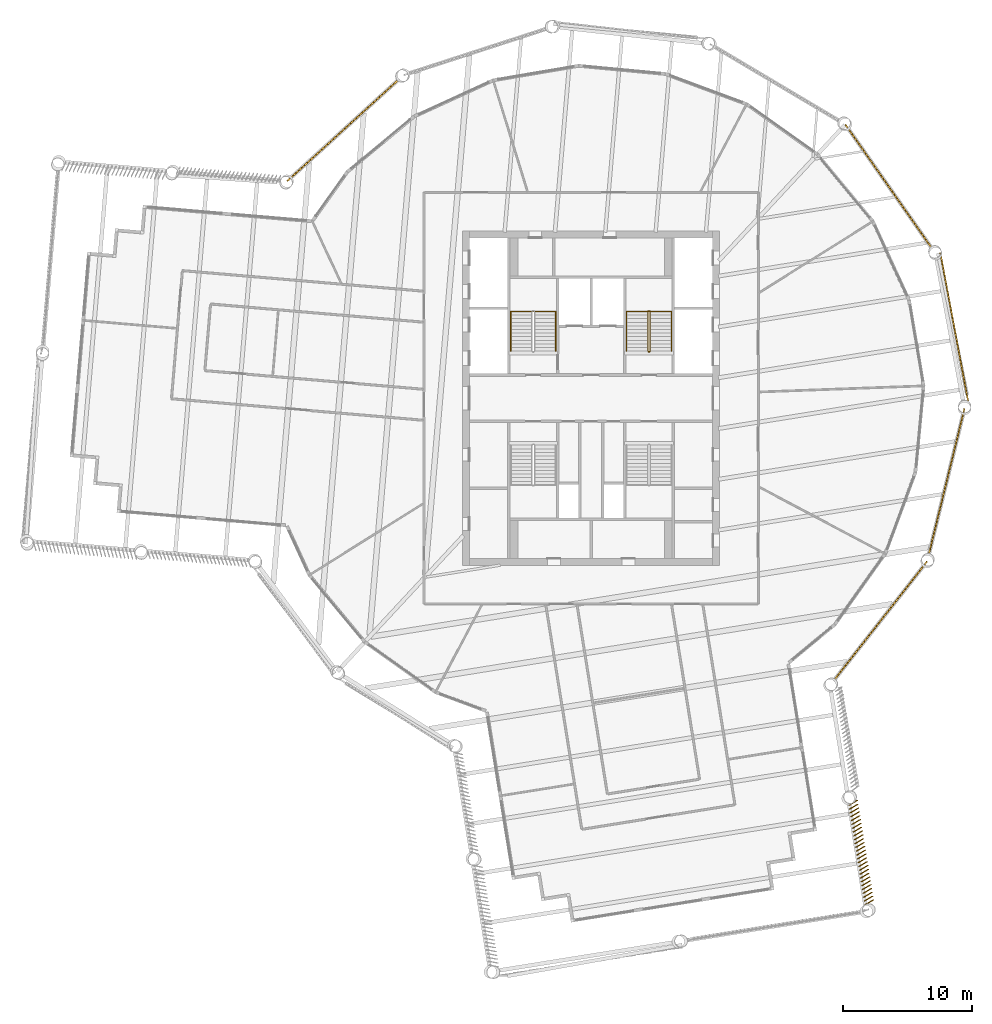
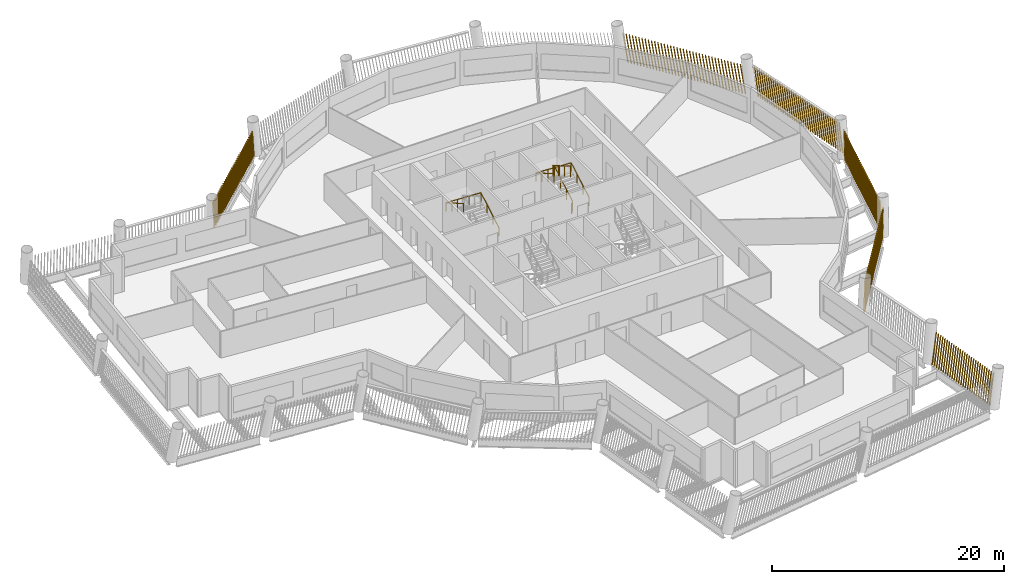
# One storey, part 12 of 14: 6 shading devices, 3 railings.
"""IFC4 building model written with IfcOpenShell, lengths in metres."""

from ifc_helpers import new_model, si_unit, direction, frame, frame_2d, origin, origin_2d, place, context, subcontext, project, spatial, rectangle, circle, composite_profile, extrude, material, type_object, element, save


model = new_model("IFC4")

# Units and contexts
model_context = context("Model", 3, precision=1e-05, world=origin(), true_north=direction((0.0, 1.0)))
body_context = subcontext(model_context, "Body", "Model", "MODEL_VIEW")
ifc_project = project(units=[si_unit("LENGTHUNIT", "METRE"), si_unit("AREAUNIT", "SQUARE_METRE"), si_unit("VOLUMEUNIT", "CUBIC_METRE"), si_unit("PLANEANGLEUNIT", "RADIAN"), si_unit("MASSUNIT", "GRAM", prefix="KILO")], contexts=[model_context])

# Site, building, storey
site_placement = place(None, origin())
site = spatial("IfcSite", under=ifc_project, at=site_placement, CompositionType="ELEMENT")
building_placement = place(site_placement, origin())
building = spatial("IfcBuilding", under=site, at=building_placement, Name="Tarsis Ring Headquarters", CompositionType="ELEMENT")
storey_placement = place(building_placement, frame((0.0, 0.0, 266.89990234375)))
storey = spatial("IfcBuildingStorey", under=building, at=storey_placement, Name="L62", CompositionType="ELEMENT", Elevation=266.89990234375)

# Railings
ifc_material_1 = material(Name="Steel S355", Category="steel")
railing_type_1 = type_object("IfcRailingType", Name="Core stair guard 1100", PredefinedType="GUARDRAIL", material=ifc_material_1)
railing_1_placement = place(storey_placement, frame((4.4599609375, 3.610107421875, 0.0)))
element("IfcRailing", 1, at=railing_1_placement, inside=storey, type_object=railing_type_1, Name="L62 ST2 stair guard 1", PredefinedType="GUARDRAIL", context=body_context, shape_type="SweptSolid", body=[
    extrude(circle(Radius=0.02392578125, at=origin_2d()), frame((0.0, 0.0, 1.076171875), z_axis=(1.0, 0.0, 0.0), x_axis=(0.0, 1.0, 0.0)), (0.0, 0.0, 1.0), 0.080078125),
    extrude(circle(Radius=0.02392578125, at=origin_2d()), frame((0.080078125, 0.0, 1.076171875), z_axis=(0.282336740067, 0.280959487676, 0.917250092119), x_axis=(-0.705375805398, 0.708833529934, 0.0)), (0.0, 0.0, 1.0), 0.17724609375),
    extrude(circle(Radius=0.02392578125, at=origin_2d()), frame((0.130126953125, 0.0498046875, 1.23876953125), z_axis=(0.0, 0.864890721111, 0.501960198159), x_axis=(-1.0, 0.0, 0.0)), (0.0, 0.0, 1.0), 3.561279296875),
    extrude(circle(Radius=0.02392578125, at=origin_2d()), frame((0.130126953125, 3.1298828125, 3.0263671875), z_axis=(-0.707106781187, 0.707106781187, 0.0), x_axis=(-0.707106781187, -0.707106781187, 0.0)), (0.0, 0.0, 1.0), 0.07080078125),
    extrude(circle(Radius=0.02392578125, at=origin_2d()), frame((0.080078125, 3.179931640625, 3.0263671875), z_axis=(-1.0, 0.0, 0.0), x_axis=(0.0, -1.0, 0.0)), (0.0, 0.0, 1.0), 0.080078125),
    extrude(circle(Radius=0.02392578125, at=origin_2d()), frame((0.0, 3.179931640625, 3.0263671875), z_axis=(-0.282583949758, -0.282583949758, 0.916674763849), x_axis=(0.707106781187, -0.707106781187, 0.0)), (0.0, 0.0, 1.0), 0.177001953125),
    extrude(circle(Radius=0.02392578125, at=origin_2d()), frame((-0.050048828125, 3.1298828125, 3.1884765625), z_axis=(0.0, -0.864890721111, 0.501960198159), x_axis=(1.0, 0.0, 0.0)), (0.0, 0.0, 1.0), 3.561279296875),
    extrude(circle(Radius=0.02099609375, at=origin_2d()), origin(), (0.0, 0.0, 1.0), 1.052001953125),
    extrude(circle(Radius=0.02099609375, at=origin_2d()), frame((0.080078125, 0.0, 0.0)), (0.0, 0.0, 1.0), 1.052001953125),
    extrude(circle(Radius=0.02099609375, at=origin_2d()), frame((0.130126953125, 0.0498046875, 0.16259765625)), (0.0, 0.0, 1.0), 1.052001953125),
    extrude(circle(Radius=0.02099609375, at=origin_2d()), frame((0.130126953125, 1.076416015625, 0.758544921875)), (0.0, 0.0, 1.0), 1.052001953125),
    extrude(circle(Radius=0.02099609375, at=origin_2d()), frame((0.130126953125, 2.103271484375, 1.354248046875)), (0.0, 0.0, 1.0), 1.052001953125),
    extrude(circle(Radius=0.02099609375, at=origin_2d()), frame((0.130126953125, 3.1298828125, 1.9501953125)), (0.0, 0.0, 1.0), 1.052001953125),
    extrude(circle(Radius=0.02099609375, at=origin_2d()), frame((0.080078125, 3.179931640625, 1.9501953125)), (0.0, 0.0, 1.0), 1.052001953125),
    extrude(circle(Radius=0.02099609375, at=origin_2d()), frame((0.0, 3.179931640625, 1.9501953125)), (0.0, 0.0, 1.0), 1.052001953125),
    extrude(circle(Radius=0.02099609375, at=origin_2d()), frame((-0.050048828125, 3.1298828125, 2.112548828125)), (0.0, 0.0, 1.0), 1.052001953125),
    extrude(circle(Radius=0.02099609375, at=origin_2d()), frame((-0.050048828125, 2.103271484375, 2.70849609375)), (0.0, 0.0, 1.0), 1.052001953125),
    extrude(circle(Radius=0.02099609375, at=origin_2d()), frame((-0.050048828125, 1.076416015625, 3.30419921875)), (0.0, 0.0, 1.0), 1.052001953125),
    extrude(circle(Radius=0.02099609375, at=origin_2d()), frame((-0.050048828125, 0.0498046875, 3.900146484375)), (0.0, 0.0, 1.0), 1.052001953125),
])
railing_type_2 = type_object("IfcRailingType", Name="Core stair handrail 900", PredefinedType="HANDRAIL", material=ifc_material_1)
railing_2_placement = place(storey_placement, frame((-2.75, 3.659912109375, 0.16259765625)))
element("IfcRailing", 2, at=railing_2_placement, inside=storey, type_object=railing_type_2, Name="L62 ST1 stair handrail 1", PredefinedType="HANDRAIL", context=body_context, shape_type="SweptSolid", body=[
    extrude(circle(Radius=0.02392578125, at=origin_2d()), frame((0.0, 0.0, 0.8759765625), z_axis=(0.0, 0.864890721111, 0.501960198159), x_axis=(-1.0, 0.0, 0.0)), (0.0, 0.0, 1.0), 3.561279296875),
    extrude(circle(Radius=0.02392578125, at=origin_2d()), frame((0.0, 3.080078125, 2.66357421875), z_axis=(-0.998925869279, 0.0, 0.04633689335), x_axis=(0.0, -1.0, 0.0)), (0.0, 0.0, 1.0), 3.503662109375),
    extrude(circle(Radius=0.02392578125, at=origin_2d()), frame((-3.5, 3.080078125, 2.82568359375), z_axis=(0.0, -0.864890721111, 0.501960198159), x_axis=(1.0, 0.0, 0.0)), (0.0, 0.0, 1.0), 3.561279296875),
    extrude(circle(Radius=0.02099609375, at=origin_2d()), origin(), (0.0, 0.0, 1.0), 0.851806640625),
    extrude(circle(Radius=0.02099609375, at=origin_2d()), frame((0.0, 1.026611328125, 0.595947265625)), (0.0, 0.0, 1.0), 0.851806640625),
    extrude(circle(Radius=0.02099609375, at=origin_2d()), frame((0.0, 2.053466796875, 1.191650390625)), (0.0, 0.0, 1.0), 0.851806640625),
    extrude(circle(Radius=0.02099609375, at=origin_2d()), frame((0.0, 3.080078125, 1.78759765625)), (0.0, 0.0, 1.0), 0.851806640625),
    extrude(circle(Radius=0.02099609375, at=origin_2d()), frame((-1.166748046875, 3.080078125, 1.841796875)), (0.0, 0.0, 1.0), 0.851806640625),
    extrude(circle(Radius=0.02099609375, at=origin_2d()), frame((-2.333251953125, 3.080078125, 1.895751953125)), (0.0, 0.0, 1.0), 0.851806640625),
    extrude(circle(Radius=0.02099609375, at=origin_2d()), frame((-3.5, 3.080078125, 1.949951171875)), (0.0, 0.0, 1.0), 0.851806640625),
    extrude(circle(Radius=0.02099609375, at=origin_2d()), frame((-3.5, 2.053466796875, 2.5458984375)), (0.0, 0.0, 1.0), 0.851806640625),
    extrude(circle(Radius=0.02099609375, at=origin_2d()), frame((-3.5, 1.026611328125, 3.1416015625)), (0.0, 0.0, 1.0), 0.851806640625),
    extrude(circle(Radius=0.02099609375, at=origin_2d()), frame((-3.5, 0.0, 3.737548828125)), (0.0, 0.0, 1.0), 0.851806640625),
])
railing_3_placement = place(storey_placement, frame((6.25, 3.659912109375, 0.16259765625)))
element("IfcRailing", 3, at=railing_3_placement, inside=storey, type_object=railing_type_2, Name="L62 ST2 stair handrail 1", PredefinedType="HANDRAIL", context=body_context, shape_type="SweptSolid", body=[
    extrude(circle(Radius=0.02392578125, at=origin_2d()), frame((0.0, 0.0, 0.8759765625), z_axis=(0.0, 0.864890721111, 0.501960198159), x_axis=(-1.0, 0.0, 0.0)), (0.0, 0.0, 1.0), 3.561279296875),
    extrude(circle(Radius=0.02392578125, at=origin_2d()), frame((0.0, 3.080078125, 2.66357421875), z_axis=(-0.998925869279, 0.0, 0.04633689335), x_axis=(0.0, -1.0, 0.0)), (0.0, 0.0, 1.0), 3.503662109375),
    extrude(circle(Radius=0.02392578125, at=origin_2d()), frame((-3.5, 3.080078125, 2.82568359375), z_axis=(0.0, -0.864890721111, 0.501960198159), x_axis=(1.0, 0.0, 0.0)), (0.0, 0.0, 1.0), 3.561279296875),
    extrude(circle(Radius=0.02099609375, at=origin_2d()), origin(), (0.0, 0.0, 1.0), 0.851806640625),
    extrude(circle(Radius=0.02099609375, at=origin_2d()), frame((0.0, 1.026611328125, 0.595947265625)), (0.0, 0.0, 1.0), 0.851806640625),
    extrude(circle(Radius=0.02099609375, at=origin_2d()), frame((0.0, 2.053466796875, 1.191650390625)), (0.0, 0.0, 1.0), 0.851806640625),
    extrude(circle(Radius=0.02099609375, at=origin_2d()), frame((0.0, 3.080078125, 1.78759765625)), (0.0, 0.0, 1.0), 0.851806640625),
    extrude(circle(Radius=0.02099609375, at=origin_2d()), frame((-1.166748046875, 3.080078125, 1.841796875)), (0.0, 0.0, 1.0), 0.851806640625),
    extrude(circle(Radius=0.02099609375, at=origin_2d()), frame((-2.333251953125, 3.080078125, 1.895751953125)), (0.0, 0.0, 1.0), 0.851806640625),
    extrude(circle(Radius=0.02099609375, at=origin_2d()), frame((-3.5, 3.080078125, 1.949951171875)), (0.0, 0.0, 1.0), 0.851806640625),
    extrude(circle(Radius=0.02099609375, at=origin_2d()), frame((-3.5, 2.053466796875, 2.5458984375)), (0.0, 0.0, 1.0), 0.851806640625),
    extrude(circle(Radius=0.02099609375, at=origin_2d()), frame((-3.5, 1.026611328125, 3.1416015625)), (0.0, 0.0, 1.0), 0.851806640625),
    extrude(circle(Radius=0.02099609375, at=origin_2d()), frame((-3.5, 0.0, 3.737548828125)), (0.0, 0.0, 1.0), 0.851806640625),
])

# Shading devices
ifc_material_2 = material(Name="Terracotta baguette", Category="masonry")
shading_device_type = type_object("IfcShadingDeviceType", Name="Terracotta baguette screen", PredefinedType="USERDEFINED", material=ifc_material_2)
shading_device_1_placement = place(storey_placement, frame((21.317626953125, -39.41943359375, 0.0), z_axis=(0.0, 0.0, 1.0), x_axis=(-0.15852565885, 0.987363672877, 0.0)))
element("IfcShadingDevice", 4, at=shading_device_1_placement, inside=storey, type_object=shading_device_type, Name="Baguette screen L62-05", ObjectType="Terracotta baguette screen", PredefinedType="USERDEFINED", context=body_context, shape_type="SweptSolid", body=[
    extrude(composite_profile([rectangle(XDim=0.06005859375, YDim=0.1201171875, at=frame_2d((0.030029296875, 0.0))), rectangle(XDim=0.06005859375, YDim=0.1201171875, at=frame_2d((0.33154296875, 0.0))), rectangle(XDim=0.06005859375, YDim=0.1201171875, at=frame_2d((0.63330078125, 0.0))), rectangle(XDim=0.06005859375, YDim=0.1201171875, at=frame_2d((0.934814453125, 0.0))), rectangle(XDim=0.06005859375, YDim=0.1201171875, at=frame_2d((1.236572265625, 0.0))), rectangle(XDim=0.06005859375, YDim=0.1201171875, at=frame_2d((1.5380859375, 0.0))), rectangle(XDim=0.06005859375, YDim=0.1201171875, at=frame_2d((1.83984375, 0.0))), rectangle(XDim=0.06005859375, YDim=0.1201171875, at=frame_2d((2.141357421875, 0.0))), rectangle(XDim=0.06005859375, YDim=0.1201171875, at=frame_2d((2.443115234375, 0.0))), rectangle(XDim=0.06005859375, YDim=0.1201171875, at=frame_2d((2.74462890625, 0.0))), rectangle(XDim=0.06005859375, YDim=0.1201171875, at=frame_2d((3.04638671875, 0.0))), rectangle(XDim=0.06005859375, YDim=0.1201171875, at=frame_2d((3.347900390625, 0.0))), rectangle(XDim=0.06005859375, YDim=0.1201171875, at=frame_2d((3.649658203125, 0.0))), rectangle(XDim=0.06005859375, YDim=0.1201171875, at=frame_2d((3.951171875, 0.0))), rectangle(XDim=0.06005859375, YDim=0.1201171875, at=frame_2d((4.252685546875, 0.0))), rectangle(XDim=0.06005859375, YDim=0.1201171875, at=frame_2d((4.554443359375, 0.0))), rectangle(XDim=0.06005859375, YDim=0.1201171875, at=frame_2d((4.85595703125, 0.0))), rectangle(XDim=0.06005859375, YDim=0.1201171875, at=frame_2d((5.15771484375, 0.0))), rectangle(XDim=0.06005859375, YDim=0.1201171875, at=frame_2d((5.459228515625, 0.0))), rectangle(XDim=0.06005859375, YDim=0.1201171875, at=frame_2d((5.760986328125, 0.0))), rectangle(XDim=0.06005859375, YDim=0.1201171875, at=frame_2d((6.0625, 0.0))), rectangle(XDim=0.06005859375, YDim=0.1201171875, at=frame_2d((6.3642578125, 0.0))), rectangle(XDim=0.06005859375, YDim=0.1201171875, at=frame_2d((6.665771484375, 0.0))), rectangle(XDim=0.06005859375, YDim=0.1201171875, at=frame_2d((6.967529296875, 0.0))), rectangle(XDim=0.06005859375, YDim=0.1201171875, at=frame_2d((7.26904296875, 0.0))), rectangle(XDim=0.06005859375, YDim=0.1201171875, at=frame_2d((7.57080078125, 0.0))), rectangle(XDim=0.06005859375, YDim=0.1201171875, at=frame_2d((7.872314453125, 0.0)))]), origin(), (0.086499014905, -0.218450722997, 0.972006791151), 3.053466796875),
])
shading_device_2_placement = place(storey_placement, frame((18.883056640625, -21.940185546875, 0.0), z_axis=(0.0, 0.0, 1.0), x_axis=(0.616741904679, 0.787156003125, 0.0)))
element("IfcShadingDevice", 5, at=shading_device_2_placement, inside=storey, type_object=shading_device_type, Name="Baguette screen L62-07", ObjectType="Terracotta baguette screen", PredefinedType="USERDEFINED", context=body_context, shape_type="SweptSolid", body=[
    extrude(composite_profile([rectangle(XDim=0.06005859375, YDim=0.1201171875, at=frame_2d((0.030029296875, 0.0))), rectangle(XDim=0.06005859375, YDim=0.1201171875, at=frame_2d((0.33251953125, 0.0))), rectangle(XDim=0.06005859375, YDim=0.1201171875, at=frame_2d((0.634765625, 0.0))), rectangle(XDim=0.06005859375, YDim=0.1201171875, at=frame_2d((0.937255859375, 0.0))), rectangle(XDim=0.06005859375, YDim=0.1201171875, at=frame_2d((1.239501953125, 0.0))), rectangle(XDim=0.06005859375, YDim=0.1201171875, at=frame_2d((1.5419921875, 0.0))), rectangle(XDim=0.06005859375, YDim=0.1201171875, at=frame_2d((1.844482421875, 0.0))), rectangle(XDim=0.06005859375, YDim=0.1201171875, at=frame_2d((2.146728515625, 0.0))), rectangle(XDim=0.06005859375, YDim=0.1201171875, at=frame_2d((2.44921875, 0.0))), rectangle(XDim=0.06005859375, YDim=0.1201171875, at=frame_2d((2.751708984375, 0.0))), rectangle(XDim=0.06005859375, YDim=0.1201171875, at=frame_2d((3.053955078125, 0.0))), rectangle(XDim=0.06005859375, YDim=0.1201171875, at=frame_2d((3.3564453125, 0.0))), rectangle(XDim=0.06005859375, YDim=0.1201171875, at=frame_2d((3.65869140625, 0.0))), rectangle(XDim=0.06005859375, YDim=0.1201171875, at=frame_2d((3.961181640625, 0.0))), rectangle(XDim=0.06005859375, YDim=0.1201171875, at=frame_2d((4.263671875, 0.0))), rectangle(XDim=0.06005859375, YDim=0.1201171875, at=frame_2d((4.56591796875, 0.0))), rectangle(XDim=0.06005859375, YDim=0.1201171875, at=frame_2d((4.868408203125, 0.0))), rectangle(XDim=0.06005859375, YDim=0.1201171875, at=frame_2d((5.1708984375, 0.0))), rectangle(XDim=0.06005859375, YDim=0.1201171875, at=frame_2d((5.47314453125, 0.0))), rectangle(XDim=0.06005859375, YDim=0.1201171875, at=frame_2d((5.775634765625, 0.0))), rectangle(XDim=0.06005859375, YDim=0.1201171875, at=frame_2d((6.077880859375, 0.0))), rectangle(XDim=0.06005859375, YDim=0.1201171875, at=frame_2d((6.38037109375, 0.0))), rectangle(XDim=0.06005859375, YDim=0.1201171875, at=frame_2d((6.682861328125, 0.0))), rectangle(XDim=0.06005859375, YDim=0.1201171875, at=frame_2d((6.985107421875, 0.0))), rectangle(XDim=0.06005859375, YDim=0.1201171875, at=frame_2d((7.28759765625, 0.0))), rectangle(XDim=0.06005859375, YDim=0.1201171875, at=frame_2d((7.590087890625, 0.0))), rectangle(XDim=0.06005859375, YDim=0.1201171875, at=frame_2d((7.892333984375, 0.0))), rectangle(XDim=0.06005859375, YDim=0.1201171875, at=frame_2d((8.19482421875, 0.0))), rectangle(XDim=0.06005859375, YDim=0.1201171875, at=frame_2d((8.4970703125, 0.0))), rectangle(XDim=0.06005859375, YDim=0.1201171875, at=frame_2d((8.799560546875, 0.0))), rectangle(XDim=0.06005859375, YDim=0.1201171875, at=frame_2d((9.10205078125, 0.0))), rectangle(XDim=0.06005859375, YDim=0.1201171875, at=frame_2d((9.404296875, 0.0))), rectangle(XDim=0.06005859375, YDim=0.1201171875, at=frame_2d((9.706787109375, 0.0))), rectangle(XDim=0.06005859375, YDim=0.1201171875, at=frame_2d((10.00927734375, 0.0))), rectangle(XDim=0.06005859375, YDim=0.1201171875, at=frame_2d((10.3115234375, 0.0))), rectangle(XDim=0.06005859375, YDim=0.1201171875, at=frame_2d((10.614013671875, 0.0))), rectangle(XDim=0.06005859375, YDim=0.1201171875, at=frame_2d((10.916259765625, 0.0))), rectangle(XDim=0.06005859375, YDim=0.1201171875, at=frame_2d((11.21875, 0.0)))]), origin(), (0.164689095345, 0.001437807551, 0.986344480688), 3.009033203125),
])
shading_device_3_placement = place(storey_placement, frame((26.247802734375, -12.2060546875, 0.0), z_axis=(0.0, 0.0, 1.0), x_axis=(0.237460661964, 0.971394465545, 0.0)))
element("IfcShadingDevice", 6, at=shading_device_3_placement, inside=storey, type_object=shading_device_type, Name="Baguette screen L62-08", ObjectType="Terracotta baguette screen", PredefinedType="USERDEFINED", context=body_context, shape_type="SweptSolid", body=[
    extrude(composite_profile([rectangle(XDim=0.06005859375, YDim=0.1201171875, at=frame_2d((0.030029296875, 0.0))), rectangle(XDim=0.06005859375, YDim=0.1201171875, at=frame_2d((0.33251953125, 0.0))), rectangle(XDim=0.06005859375, YDim=0.1201171875, at=frame_2d((0.634765625, 0.0))), rectangle(XDim=0.06005859375, YDim=0.1201171875, at=frame_2d((0.937255859375, 0.0))), rectangle(XDim=0.06005859375, YDim=0.1201171875, at=frame_2d((1.239501953125, 0.0))), rectangle(XDim=0.06005859375, YDim=0.1201171875, at=frame_2d((1.5419921875, 0.0))), rectangle(XDim=0.06005859375, YDim=0.1201171875, at=frame_2d((1.844482421875, 0.0))), rectangle(XDim=0.06005859375, YDim=0.1201171875, at=frame_2d((2.146728515625, 0.0))), rectangle(XDim=0.06005859375, YDim=0.1201171875, at=frame_2d((2.44921875, 0.0))), rectangle(XDim=0.06005859375, YDim=0.1201171875, at=frame_2d((2.751708984375, 0.0))), rectangle(XDim=0.06005859375, YDim=0.1201171875, at=frame_2d((3.053955078125, 0.0))), rectangle(XDim=0.06005859375, YDim=0.1201171875, at=frame_2d((3.3564453125, 0.0))), rectangle(XDim=0.06005859375, YDim=0.1201171875, at=frame_2d((3.65869140625, 0.0))), rectangle(XDim=0.06005859375, YDim=0.1201171875, at=frame_2d((3.961181640625, 0.0))), rectangle(XDim=0.06005859375, YDim=0.1201171875, at=frame_2d((4.263671875, 0.0))), rectangle(XDim=0.06005859375, YDim=0.1201171875, at=frame_2d((4.56591796875, 0.0))), rectangle(XDim=0.06005859375, YDim=0.1201171875, at=frame_2d((4.868408203125, 0.0))), rectangle(XDim=0.06005859375, YDim=0.1201171875, at=frame_2d((5.1708984375, 0.0))), rectangle(XDim=0.06005859375, YDim=0.1201171875, at=frame_2d((5.47314453125, 0.0))), rectangle(XDim=0.06005859375, YDim=0.1201171875, at=frame_2d((5.775634765625, 0.0))), rectangle(XDim=0.06005859375, YDim=0.1201171875, at=frame_2d((6.077880859375, 0.0))), rectangle(XDim=0.06005859375, YDim=0.1201171875, at=frame_2d((6.38037109375, 0.0))), rectangle(XDim=0.06005859375, YDim=0.1201171875, at=frame_2d((6.682861328125, 0.0))), rectangle(XDim=0.06005859375, YDim=0.1201171875, at=frame_2d((6.985107421875, 0.0))), rectangle(XDim=0.06005859375, YDim=0.1201171875, at=frame_2d((7.28759765625, 0.0))), rectangle(XDim=0.06005859375, YDim=0.1201171875, at=frame_2d((7.590087890625, 0.0))), rectangle(XDim=0.06005859375, YDim=0.1201171875, at=frame_2d((7.892333984375, 0.0))), rectangle(XDim=0.06005859375, YDim=0.1201171875, at=frame_2d((8.19482421875, 0.0))), rectangle(XDim=0.06005859375, YDim=0.1201171875, at=frame_2d((8.4970703125, 0.0))), rectangle(XDim=0.06005859375, YDim=0.1201171875, at=frame_2d((8.799560546875, 0.0))), rectangle(XDim=0.06005859375, YDim=0.1201171875, at=frame_2d((9.10205078125, 0.0))), rectangle(XDim=0.06005859375, YDim=0.1201171875, at=frame_2d((9.404296875, 0.0))), rectangle(XDim=0.06005859375, YDim=0.1201171875, at=frame_2d((9.706787109375, 0.0))), rectangle(XDim=0.06005859375, YDim=0.1201171875, at=frame_2d((10.00927734375, 0.0))), rectangle(XDim=0.06005859375, YDim=0.1201171875, at=frame_2d((10.3115234375, 0.0))), rectangle(XDim=0.06005859375, YDim=0.1201171875, at=frame_2d((10.614013671875, 0.0))), rectangle(XDim=0.06005859375, YDim=0.1201171875, at=frame_2d((10.916259765625, 0.0))), rectangle(XDim=0.06005859375, YDim=0.1201171875, at=frame_2d((11.21875, 0.0)))]), origin(), (0.164689824317, 0.00143853445, 0.986344357912), 3.009033203125),
])
shading_device_4_placement = place(storey_placement, frame((29.314208984375, -0.23291015625, 0.0), z_axis=(0.0, 0.0, 1.0), x_axis=(-0.184047748237, 0.982919153554, 0.0)))
element("IfcShadingDevice", 7, at=shading_device_4_placement, inside=storey, type_object=shading_device_type, Name="Baguette screen L62-09", ObjectType="Terracotta baguette screen", PredefinedType="USERDEFINED", context=body_context, shape_type="SweptSolid", body=[
    extrude(composite_profile([rectangle(XDim=0.06005859375, YDim=0.1201171875, at=frame_2d((0.030029296875, 0.0))), rectangle(XDim=0.06005859375, YDim=0.1201171875, at=frame_2d((0.33251953125, 0.0))), rectangle(XDim=0.06005859375, YDim=0.1201171875, at=frame_2d((0.634765625, 0.0))), rectangle(XDim=0.06005859375, YDim=0.1201171875, at=frame_2d((0.937255859375, 0.0))), rectangle(XDim=0.06005859375, YDim=0.1201171875, at=frame_2d((1.239501953125, 0.0))), rectangle(XDim=0.06005859375, YDim=0.1201171875, at=frame_2d((1.5419921875, 0.0))), rectangle(XDim=0.06005859375, YDim=0.1201171875, at=frame_2d((1.844482421875, 0.0))), rectangle(XDim=0.06005859375, YDim=0.1201171875, at=frame_2d((2.146728515625, 0.0))), rectangle(XDim=0.06005859375, YDim=0.1201171875, at=frame_2d((2.44921875, 0.0))), rectangle(XDim=0.06005859375, YDim=0.1201171875, at=frame_2d((2.751708984375, 0.0))), rectangle(XDim=0.06005859375, YDim=0.1201171875, at=frame_2d((3.053955078125, 0.0))), rectangle(XDim=0.06005859375, YDim=0.1201171875, at=frame_2d((3.3564453125, 0.0))), rectangle(XDim=0.06005859375, YDim=0.1201171875, at=frame_2d((3.65869140625, 0.0))), rectangle(XDim=0.06005859375, YDim=0.1201171875, at=frame_2d((3.961181640625, 0.0))), rectangle(XDim=0.06005859375, YDim=0.1201171875, at=frame_2d((4.263671875, 0.0))), rectangle(XDim=0.06005859375, YDim=0.1201171875, at=frame_2d((4.56591796875, 0.0))), rectangle(XDim=0.06005859375, YDim=0.1201171875, at=frame_2d((4.868408203125, 0.0))), rectangle(XDim=0.06005859375, YDim=0.1201171875, at=frame_2d((5.1708984375, 0.0))), rectangle(XDim=0.06005859375, YDim=0.1201171875, at=frame_2d((5.47314453125, 0.0))), rectangle(XDim=0.06005859375, YDim=0.1201171875, at=frame_2d((5.775634765625, 0.0))), rectangle(XDim=0.06005859375, YDim=0.1201171875, at=frame_2d((6.077880859375, 0.0))), rectangle(XDim=0.06005859375, YDim=0.1201171875, at=frame_2d((6.38037109375, 0.0))), rectangle(XDim=0.06005859375, YDim=0.1201171875, at=frame_2d((6.682861328125, 0.0))), rectangle(XDim=0.06005859375, YDim=0.1201171875, at=frame_2d((6.985107421875, 0.0))), rectangle(XDim=0.06005859375, YDim=0.1201171875, at=frame_2d((7.28759765625, 0.0))), rectangle(XDim=0.06005859375, YDim=0.1201171875, at=frame_2d((7.590087890625, 0.0))), rectangle(XDim=0.06005859375, YDim=0.1201171875, at=frame_2d((7.892333984375, 0.0))), rectangle(XDim=0.06005859375, YDim=0.1201171875, at=frame_2d((8.19482421875, 0.0))), rectangle(XDim=0.06005859375, YDim=0.1201171875, at=frame_2d((8.4970703125, 0.0))), rectangle(XDim=0.06005859375, YDim=0.1201171875, at=frame_2d((8.799560546875, 0.0))), rectangle(XDim=0.06005859375, YDim=0.1201171875, at=frame_2d((9.10205078125, 0.0))), rectangle(XDim=0.06005859375, YDim=0.1201171875, at=frame_2d((9.404296875, 0.0))), rectangle(XDim=0.06005859375, YDim=0.1201171875, at=frame_2d((9.706787109375, 0.0))), rectangle(XDim=0.06005859375, YDim=0.1201171875, at=frame_2d((10.00927734375, 0.0))), rectangle(XDim=0.06005859375, YDim=0.1201171875, at=frame_2d((10.3115234375, 0.0))), rectangle(XDim=0.06005859375, YDim=0.1201171875, at=frame_2d((10.614013671875, 0.0))), rectangle(XDim=0.06005859375, YDim=0.1201171875, at=frame_2d((10.916259765625, 0.0))), rectangle(XDim=0.06005859375, YDim=0.1201171875, at=frame_2d((11.21875, 0.0)))]), origin(), (0.166805180608, 0.001457710377, 0.985988796489), 3.01025390625),
])
shading_device_5_placement = place(storey_placement, frame((26.496826171875, 11.656005859375, 0.0), z_axis=(0.0, 0.0, 1.0), x_axis=(-0.572836183697, 0.81966750586, 0.0)))
element("IfcShadingDevice", 8, at=shading_device_5_placement, inside=storey, type_object=shading_device_type, Name="Baguette screen L62-10", ObjectType="Terracotta baguette screen", PredefinedType="USERDEFINED", context=body_context, shape_type="SweptSolid", body=[
    extrude(composite_profile([rectangle(XDim=0.06005859375, YDim=0.1201171875, at=frame_2d((0.030029296875, 0.0))), rectangle(XDim=0.06005859375, YDim=0.1201171875, at=frame_2d((0.33251953125, 0.0))), rectangle(XDim=0.06005859375, YDim=0.1201171875, at=frame_2d((0.634765625, 0.0))), rectangle(XDim=0.06005859375, YDim=0.1201171875, at=frame_2d((0.937255859375, 0.0))), rectangle(XDim=0.06005859375, YDim=0.1201171875, at=frame_2d((1.239501953125, 0.0))), rectangle(XDim=0.06005859375, YDim=0.1201171875, at=frame_2d((1.5419921875, 0.0))), rectangle(XDim=0.06005859375, YDim=0.1201171875, at=frame_2d((1.844482421875, 0.0))), rectangle(XDim=0.06005859375, YDim=0.1201171875, at=frame_2d((2.146728515625, 0.0))), rectangle(XDim=0.06005859375, YDim=0.1201171875, at=frame_2d((2.44921875, 0.0))), rectangle(XDim=0.06005859375, YDim=0.1201171875, at=frame_2d((2.751708984375, 0.0))), rectangle(XDim=0.06005859375, YDim=0.1201171875, at=frame_2d((3.053955078125, 0.0))), rectangle(XDim=0.06005859375, YDim=0.1201171875, at=frame_2d((3.3564453125, 0.0))), rectangle(XDim=0.06005859375, YDim=0.1201171875, at=frame_2d((3.65869140625, 0.0))), rectangle(XDim=0.06005859375, YDim=0.1201171875, at=frame_2d((3.961181640625, 0.0))), rectangle(XDim=0.06005859375, YDim=0.1201171875, at=frame_2d((4.263671875, 0.0))), rectangle(XDim=0.06005859375, YDim=0.1201171875, at=frame_2d((4.56591796875, 0.0))), rectangle(XDim=0.06005859375, YDim=0.1201171875, at=frame_2d((4.868408203125, 0.0))), rectangle(XDim=0.06005859375, YDim=0.1201171875, at=frame_2d((5.1708984375, 0.0))), rectangle(XDim=0.06005859375, YDim=0.1201171875, at=frame_2d((5.47314453125, 0.0))), rectangle(XDim=0.06005859375, YDim=0.1201171875, at=frame_2d((5.775634765625, 0.0))), rectangle(XDim=0.06005859375, YDim=0.1201171875, at=frame_2d((6.077880859375, 0.0))), rectangle(XDim=0.06005859375, YDim=0.1201171875, at=frame_2d((6.38037109375, 0.0))), rectangle(XDim=0.06005859375, YDim=0.1201171875, at=frame_2d((6.682861328125, 0.0))), rectangle(XDim=0.06005859375, YDim=0.1201171875, at=frame_2d((6.985107421875, 0.0))), rectangle(XDim=0.06005859375, YDim=0.1201171875, at=frame_2d((7.28759765625, 0.0))), rectangle(XDim=0.06005859375, YDim=0.1201171875, at=frame_2d((7.590087890625, 0.0))), rectangle(XDim=0.06005859375, YDim=0.1201171875, at=frame_2d((7.892333984375, 0.0))), rectangle(XDim=0.06005859375, YDim=0.1201171875, at=frame_2d((8.19482421875, 0.0))), rectangle(XDim=0.06005859375, YDim=0.1201171875, at=frame_2d((8.4970703125, 0.0))), rectangle(XDim=0.06005859375, YDim=0.1201171875, at=frame_2d((8.799560546875, 0.0))), rectangle(XDim=0.06005859375, YDim=0.1201171875, at=frame_2d((9.10205078125, 0.0))), rectangle(XDim=0.06005859375, YDim=0.1201171875, at=frame_2d((9.404296875, 0.0))), rectangle(XDim=0.06005859375, YDim=0.1201171875, at=frame_2d((9.706787109375, 0.0))), rectangle(XDim=0.06005859375, YDim=0.1201171875, at=frame_2d((10.00927734375, 0.0))), rectangle(XDim=0.06005859375, YDim=0.1201171875, at=frame_2d((10.3115234375, 0.0))), rectangle(XDim=0.06005859375, YDim=0.1201171875, at=frame_2d((10.614013671875, 0.0))), rectangle(XDim=0.06005859375, YDim=0.1201171875, at=frame_2d((10.916259765625, 0.0))), rectangle(XDim=0.06005859375, YDim=0.1201171875, at=frame_2d((11.21875, 0.0)))]), origin(), (0.164690132521, 0.001438546386, 0.986344306434), 3.009033203125),
])
shading_device_6_placement = place(storey_placement, frame((-14.958740234375, 24.78271484375, 0.0), z_axis=(0.0, 0.0, 1.0), x_axis=(-0.739403147043, -0.673271839392, 0.0)))
element("IfcShadingDevice", 9, at=shading_device_6_placement, inside=storey, type_object=shading_device_type, Name="Baguette screen L62-14", ObjectType="Terracotta baguette screen", PredefinedType="USERDEFINED", context=body_context, shape_type="SweptSolid", body=[
    extrude(composite_profile([rectangle(XDim=0.06005859375, YDim=0.1201171875, at=frame_2d((0.030029296875, 0.0))), rectangle(XDim=0.06005859375, YDim=0.1201171875, at=frame_2d((0.33251953125, 0.0))), rectangle(XDim=0.06005859375, YDim=0.1201171875, at=frame_2d((0.634765625, 0.0))), rectangle(XDim=0.06005859375, YDim=0.1201171875, at=frame_2d((0.937255859375, 0.0))), rectangle(XDim=0.06005859375, YDim=0.1201171875, at=frame_2d((1.239501953125, 0.0))), rectangle(XDim=0.06005859375, YDim=0.1201171875, at=frame_2d((1.5419921875, 0.0))), rectangle(XDim=0.06005859375, YDim=0.1201171875, at=frame_2d((1.844482421875, 0.0))), rectangle(XDim=0.06005859375, YDim=0.1201171875, at=frame_2d((2.146728515625, 0.0))), rectangle(XDim=0.06005859375, YDim=0.1201171875, at=frame_2d((2.44921875, 0.0))), rectangle(XDim=0.06005859375, YDim=0.1201171875, at=frame_2d((2.751708984375, 0.0))), rectangle(XDim=0.06005859375, YDim=0.1201171875, at=frame_2d((3.053955078125, 0.0))), rectangle(XDim=0.06005859375, YDim=0.1201171875, at=frame_2d((3.3564453125, 0.0))), rectangle(XDim=0.06005859375, YDim=0.1201171875, at=frame_2d((3.65869140625, 0.0))), rectangle(XDim=0.06005859375, YDim=0.1201171875, at=frame_2d((3.961181640625, 0.0))), rectangle(XDim=0.06005859375, YDim=0.1201171875, at=frame_2d((4.263671875, 0.0))), rectangle(XDim=0.06005859375, YDim=0.1201171875, at=frame_2d((4.56591796875, 0.0))), rectangle(XDim=0.06005859375, YDim=0.1201171875, at=frame_2d((4.868408203125, 0.0))), rectangle(XDim=0.06005859375, YDim=0.1201171875, at=frame_2d((5.1708984375, 0.0))), rectangle(XDim=0.06005859375, YDim=0.1201171875, at=frame_2d((5.47314453125, 0.0))), rectangle(XDim=0.06005859375, YDim=0.1201171875, at=frame_2d((5.775634765625, 0.0))), rectangle(XDim=0.06005859375, YDim=0.1201171875, at=frame_2d((6.077880859375, 0.0))), rectangle(XDim=0.06005859375, YDim=0.1201171875, at=frame_2d((6.38037109375, 0.0))), rectangle(XDim=0.06005859375, YDim=0.1201171875, at=frame_2d((6.682861328125, 0.0))), rectangle(XDim=0.06005859375, YDim=0.1201171875, at=frame_2d((6.985107421875, 0.0))), rectangle(XDim=0.06005859375, YDim=0.1201171875, at=frame_2d((7.28759765625, 0.0))), rectangle(XDim=0.06005859375, YDim=0.1201171875, at=frame_2d((7.590087890625, 0.0))), rectangle(XDim=0.06005859375, YDim=0.1201171875, at=frame_2d((7.892333984375, 0.0))), rectangle(XDim=0.06005859375, YDim=0.1201171875, at=frame_2d((8.19482421875, 0.0))), rectangle(XDim=0.06005859375, YDim=0.1201171875, at=frame_2d((8.4970703125, 0.0))), rectangle(XDim=0.06005859375, YDim=0.1201171875, at=frame_2d((8.799560546875, 0.0))), rectangle(XDim=0.06005859375, YDim=0.1201171875, at=frame_2d((9.10205078125, 0.0))), rectangle(XDim=0.06005859375, YDim=0.1201171875, at=frame_2d((9.404296875, 0.0))), rectangle(XDim=0.06005859375, YDim=0.1201171875, at=frame_2d((9.706787109375, 0.0))), rectangle(XDim=0.06005859375, YDim=0.1201171875, at=frame_2d((10.00927734375, 0.0))), rectangle(XDim=0.06005859375, YDim=0.1201171875, at=frame_2d((10.3115234375, 0.0))), rectangle(XDim=0.06005859375, YDim=0.1201171875, at=frame_2d((10.614013671875, 0.0))), rectangle(XDim=0.06005859375, YDim=0.1201171875, at=frame_2d((10.916259765625, 0.0))), rectangle(XDim=0.06005859375, YDim=0.1201171875, at=frame_2d((11.21875, 0.0)))]), origin(), (0.164691242738, 0.001434201161, 0.986344127388), 3.009033203125),
])

save(model, "model.ifc")
